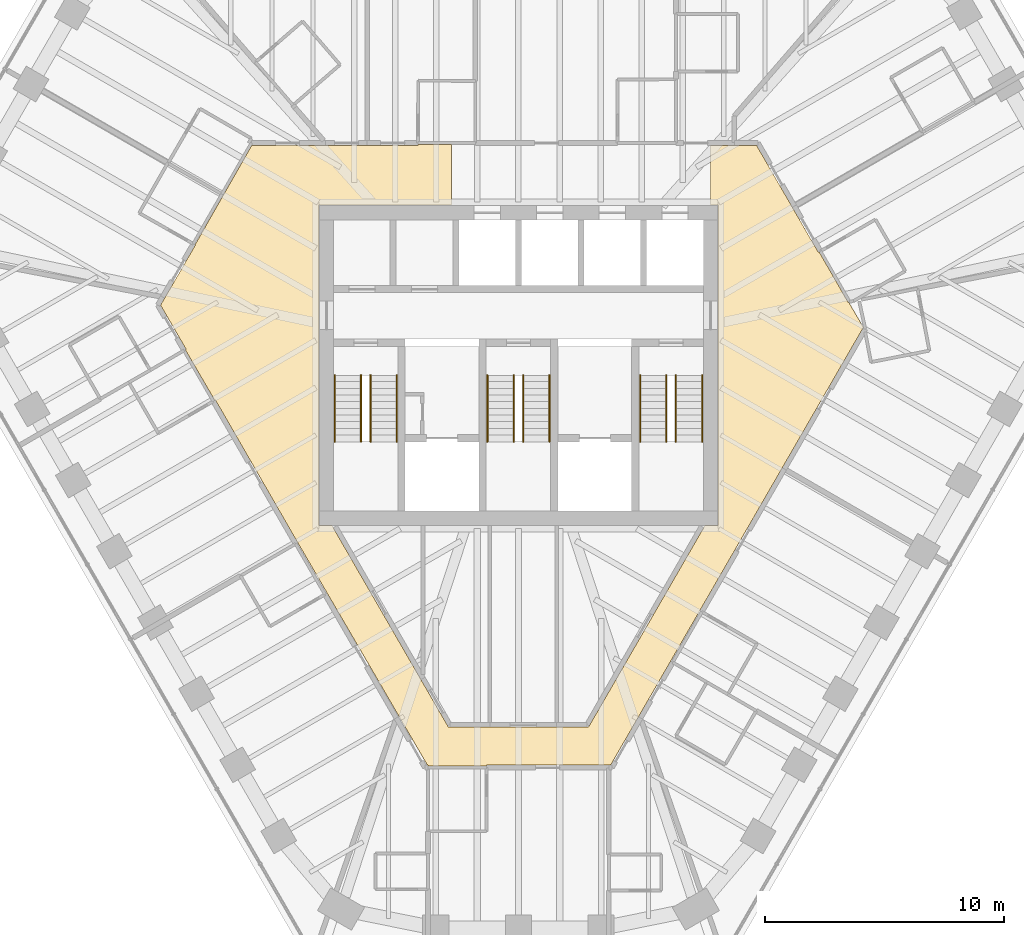
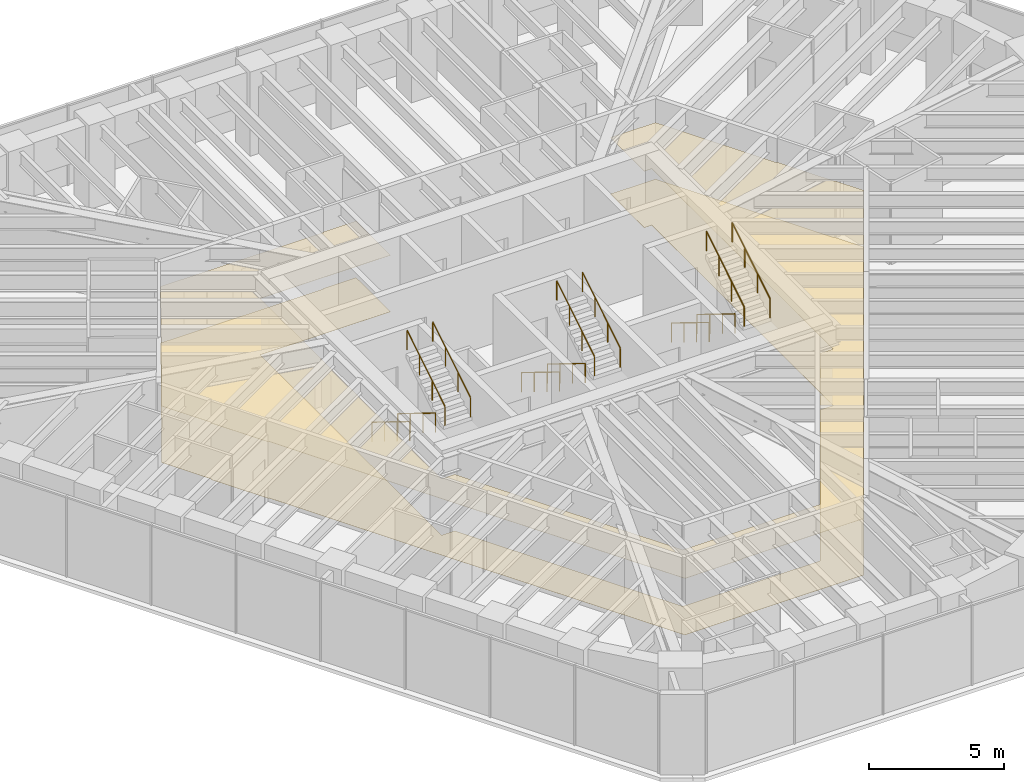
# One storey, part 14 of 14: 12 railings, 2 coverings.
"""IFC4 building model written with IfcOpenShell, lengths in metres."""

from ifc_helpers import new_model, si_unit, direction, frame, origin, origin_2d, place, context, subcontext, project, spatial, polyline, circle, outline, extrude, material, layer, layer_set, type_object, element, save


model = new_model("IFC4")

# Units and contexts
model_context = context("Model", 3, precision=1e-05, world=origin(), true_north=direction((0.0, 1.0)))
body_context = subcontext(model_context, "Body", "Model", "MODEL_VIEW")
ifc_project = project(units=[si_unit("LENGTHUNIT", "METRE"), si_unit("AREAUNIT", "SQUARE_METRE"), si_unit("VOLUMEUNIT", "CUBIC_METRE"), si_unit("PLANEANGLEUNIT", "RADIAN"), si_unit("MASSUNIT", "GRAM", prefix="KILO")], contexts=[model_context])

# Site, building, storey
site_placement = place(None, origin())
site = spatial("IfcSite", under=ifc_project, at=site_placement, CompositionType="ELEMENT")
building_placement = place(site_placement, origin())
building = spatial("IfcBuilding", under=site, at=building_placement, Name="Sandreach Pilgrim Tower", CompositionType="ELEMENT")
storey_placement = place(building_placement, frame((0.0, 0.0, 260.800048828125)))
storey = spatial("IfcBuildingStorey", under=building, at=storey_placement, Name="L65", CompositionType="ELEMENT", Elevation=260.800048828125)

# Coverings
ifc_material_1 = material(Name="Nylon carpet tile on the slab", Category="textile")
ifc_layer_1 = layer(ifc_material_1, 0.008056640625)
ifc_layer_set_1 = layer_set([ifc_layer_1], Name="Carpet tile")
covering_type_1 = type_object("IfcCoveringType", Name="Carpet tile", PredefinedType="FLOORING", material=ifc_layer_set_1)
covering_1_placement = place(storey_placement, origin())
element("IfcCovering", 1, at=covering_1_placement, inside=storey, type_object=covering_type_1, Name="Floor finish 65C Corridor 65", PredefinedType="FLOORING", context=body_context, shape_type="SweptSolid", body=[
    extrude(outline(polyline([(-15.004150390625, 2.529541015625), (-13.54345703125, 5.0498046875), (-13.559814453125, 5.059326171875), (-11.178466796875, 9.22998046875), (-4.2099609375, 9.22998046875), (-4.2099609375, 9.26318359375), (-2.800048828125, 9.27001953125), (-2.800048828125, 6.719970703125), (-8.3701171875, 6.719970703125), (-8.3701171875, -6.719970703125), (-7.812744140625, -6.719970703125), (-2.937744140625, -15.159912109375), (2.937744140625, -15.159912109375), (7.812744140625, -6.719970703125), (8.3701171875, -6.719970703125), (8.3701171875, 6.719970703125), (8.050048828125, 6.719970703125), (8.050048828125, 9.22998046875), (9.982177734375, 9.22998046875), (12.576171875, 4.741455078125), (12.607666015625, 4.759765625), (13.827880859375, 2.64013671875), (13.846435546875, 2.650634765625), (14.464111328125, 1.5986328125), (3.8623046875, -16.760009765625), (-1.340087890625, -16.760009765625), (-1.340087890625, -16.787109375), (-3.7900390625, -16.800048828125), (-3.7900390625, -16.760009765625), (-3.813232421875, -16.760009765625), (-9.378173828125, -7.213623046875), (-12.703369140625, -1.449951171875), (-12.729248046875, -1.465087890625), (-13.968017578125, 0.66015625), (-13.93359375, 0.68017578125), (-15.004150390625, 2.529541015625)])), origin(), (0.0, 0.0, 1.0), 0.008056640625),
])
ifc_material_2 = material(Name="Gypsum board suspended ceiling on a steel grid", Category="steel")
ifc_layer_2 = layer(ifc_material_2, 0.012939453125)
ifc_layer_set_2 = layer_set([ifc_layer_2], Name="Gypsum board suspended ceiling")
covering_type_2 = type_object("IfcCoveringType", Name="Gypsum board suspended ceiling", PredefinedType="CEILING", material=ifc_layer_set_2)
covering_2_placement = place(storey_placement, frame((0.0, 0.0, 2.550048828125)))
element("IfcCovering", 2, at=covering_2_placement, inside=storey, type_object=covering_type_2, Name="Ceiling 65C Corridor 65", PredefinedType="CEILING", context=body_context, shape_type="SweptSolid", body=[
    extrude(outline(polyline([(-15.004150390625, 2.529541015625), (-13.54345703125, 5.0498046875), (-13.559814453125, 5.059326171875), (-11.178466796875, 9.22998046875), (-4.2099609375, 9.22998046875), (-4.2099609375, 9.26318359375), (-2.800048828125, 9.27001953125), (-2.800048828125, 6.719970703125), (-8.3701171875, 6.719970703125), (-8.3701171875, -6.719970703125), (-7.812744140625, -6.719970703125), (-2.937744140625, -15.159912109375), (2.937744140625, -15.159912109375), (7.812744140625, -6.719970703125), (8.3701171875, -6.719970703125), (8.3701171875, 6.719970703125), (8.050048828125, 6.719970703125), (8.050048828125, 9.22998046875), (9.982177734375, 9.22998046875), (12.576171875, 4.741455078125), (12.607666015625, 4.759765625), (13.827880859375, 2.64013671875), (13.846435546875, 2.650634765625), (14.464111328125, 1.5986328125), (3.8623046875, -16.760009765625), (-1.340087890625, -16.760009765625), (-1.340087890625, -16.787109375), (-3.7900390625, -16.800048828125), (-3.7900390625, -16.760009765625), (-3.813232421875, -16.760009765625), (-9.378173828125, -7.213623046875), (-12.703369140625, -1.449951171875), (-12.729248046875, -1.465087890625), (-13.968017578125, 0.66015625), (-13.93359375, 0.68017578125), (-15.004150390625, 2.529541015625)])), origin(), (0.0, 0.0, 1.0), 0.012939453125),
])

# Railings
ifc_material_3 = material(Name="Stainless steel tube", Category="steel")
railing_type = type_object("IfcRailingType", Name="Stair handrail", PredefinedType="HANDRAIL", material=ifc_material_3)
for number, where, name in (
    (3, (-6.60009765625, -0.39990234375, 0.172607421875), "Handrail ST1 L65 flight 1"),
    (4, (-7.699951171875, -0.39990234375, 0.172607421875), "Handrail ST1 L65 flight 1"),
):
    element("IfcRailing", number, at=place(storey_placement, frame(where)), inside=storey, type_object=railing_type, Name=name, PredefinedType="HANDRAIL", context=body_context, shape_type="SweptSolid", body=[
        extrude(circle(Radius=0.02392578125, at=origin_2d()), frame((0.0, 0.0, 0.8759765625), z_axis=(0.0, -0.851089632645, 0.525020415988), x_axis=(1.0, 0.0, 0.0)), (0.0, 0.0, 1.0), 3.2900390625),
        extrude(circle(Radius=0.02099609375, at=origin_2d()), origin(), (0.0, 0.0, 1.0), 0.851806640625),
        extrude(circle(Radius=0.02099609375, at=origin_2d()), frame((0.0, -0.933349609375, 0.57568359375)), (0.0, 0.0, 1.0), 0.851806640625),
        extrude(circle(Radius=0.02099609375, at=origin_2d()), frame((0.0, -1.86669921875, 1.151611328125)), (0.0, 0.0, 1.0), 0.851806640625),
        extrude(circle(Radius=0.02099609375, at=origin_2d()), frame((0.0, -2.800048828125, 1.727294921875)), (0.0, 0.0, 1.0), 0.851806640625),
    ])
for number, where, name in (
    (5, (-6.199951171875, -3.199951171875, 2.07275390625), "Handrail ST1 L65 flight 2"),
    (6, (-5.10009765625, -3.199951171875, 2.07275390625), "Handrail ST1 L65 flight 2"),
):
    element("IfcRailing", number, at=place(storey_placement, frame(where)), inside=storey, type_object=railing_type, Name=name, PredefinedType="HANDRAIL", context=body_context, shape_type="SweptSolid", body=[
        extrude(circle(Radius=0.02392578125, at=origin_2d()), frame((0.0, 0.0, 0.8759765625), z_axis=(0.0, 0.851089632645, 0.525020415988), x_axis=(-1.0, 0.0, 0.0)), (0.0, 0.0, 1.0), 3.2900390625),
        extrude(circle(Radius=0.02099609375, at=origin_2d()), origin(), (0.0, 0.0, 1.0), 0.851806640625),
        extrude(circle(Radius=0.02099609375, at=origin_2d()), frame((0.0, 0.933349609375, 0.57568359375)), (0.0, 0.0, 1.0), 0.851806640625),
        extrude(circle(Radius=0.02099609375, at=origin_2d()), frame((0.0, 1.86669921875, 1.151611328125)), (0.0, 0.0, 1.0), 0.851806640625),
        extrude(circle(Radius=0.02099609375, at=origin_2d()), frame((0.0, 2.800048828125, 1.727294921875)), (0.0, 0.0, 1.0), 0.851806640625),
    ])
for number, where, name in (
    (7, (-0.199951171875, -0.39990234375, 0.172607421875), "Handrail ST3 L65 flight 1"),
    (8, (-1.300048828125, -0.39990234375, 0.172607421875), "Handrail ST3 L65 flight 1"),
):
    element("IfcRailing", number, at=place(storey_placement, frame(where)), inside=storey, type_object=railing_type, Name=name, PredefinedType="HANDRAIL", context=body_context, shape_type="SweptSolid", body=[
        extrude(circle(Radius=0.02392578125, at=origin_2d()), frame((0.0, 0.0, 0.8759765625), z_axis=(0.0, -0.851089632645, 0.525020415988), x_axis=(1.0, 0.0, 0.0)), (0.0, 0.0, 1.0), 3.2900390625),
        extrude(circle(Radius=0.02099609375, at=origin_2d()), origin(), (0.0, 0.0, 1.0), 0.851806640625),
        extrude(circle(Radius=0.02099609375, at=origin_2d()), frame((0.0, -0.933349609375, 0.57568359375)), (0.0, 0.0, 1.0), 0.851806640625),
        extrude(circle(Radius=0.02099609375, at=origin_2d()), frame((0.0, -1.86669921875, 1.151611328125)), (0.0, 0.0, 1.0), 0.851806640625),
        extrude(circle(Radius=0.02099609375, at=origin_2d()), frame((0.0, -2.800048828125, 1.727294921875)), (0.0, 0.0, 1.0), 0.851806640625),
    ])
for number, where, name in (
    (9, (0.199951171875, -3.199951171875, 2.07275390625), "Handrail ST3 L65 flight 2"),
    (10, (1.300048828125, -3.199951171875, 2.07275390625), "Handrail ST3 L65 flight 2"),
):
    element("IfcRailing", number, at=place(storey_placement, frame(where)), inside=storey, type_object=railing_type, Name=name, PredefinedType="HANDRAIL", context=body_context, shape_type="SweptSolid", body=[
        extrude(circle(Radius=0.02392578125, at=origin_2d()), frame((0.0, 0.0, 0.8759765625), z_axis=(0.0, 0.851089632645, 0.525020415988), x_axis=(-1.0, 0.0, 0.0)), (0.0, 0.0, 1.0), 3.2900390625),
        extrude(circle(Radius=0.02099609375, at=origin_2d()), origin(), (0.0, 0.0, 1.0), 0.851806640625),
        extrude(circle(Radius=0.02099609375, at=origin_2d()), frame((0.0, 0.933349609375, 0.57568359375)), (0.0, 0.0, 1.0), 0.851806640625),
        extrude(circle(Radius=0.02099609375, at=origin_2d()), frame((0.0, 1.86669921875, 1.151611328125)), (0.0, 0.0, 1.0), 0.851806640625),
        extrude(circle(Radius=0.02099609375, at=origin_2d()), frame((0.0, 2.800048828125, 1.727294921875)), (0.0, 0.0, 1.0), 0.851806640625),
    ])
for number, where, name in (
    (11, (6.199951171875, -0.39990234375, 0.172607421875), "Handrail ST2 L65 flight 1"),
    (12, (5.10009765625, -0.39990234375, 0.172607421875), "Handrail ST2 L65 flight 1"),
):
    element("IfcRailing", number, at=place(storey_placement, frame(where)), inside=storey, type_object=railing_type, Name=name, PredefinedType="HANDRAIL", context=body_context, shape_type="SweptSolid", body=[
        extrude(circle(Radius=0.02392578125, at=origin_2d()), frame((0.0, 0.0, 0.8759765625), z_axis=(0.0, -0.851089632645, 0.525020415988), x_axis=(1.0, 0.0, 0.0)), (0.0, 0.0, 1.0), 3.2900390625),
        extrude(circle(Radius=0.02099609375, at=origin_2d()), origin(), (0.0, 0.0, 1.0), 0.851806640625),
        extrude(circle(Radius=0.02099609375, at=origin_2d()), frame((0.0, -0.933349609375, 0.57568359375)), (0.0, 0.0, 1.0), 0.851806640625),
        extrude(circle(Radius=0.02099609375, at=origin_2d()), frame((0.0, -1.86669921875, 1.151611328125)), (0.0, 0.0, 1.0), 0.851806640625),
        extrude(circle(Radius=0.02099609375, at=origin_2d()), frame((0.0, -2.800048828125, 1.727294921875)), (0.0, 0.0, 1.0), 0.851806640625),
    ])
for number, where, name in (
    (13, (6.60009765625, -3.199951171875, 2.07275390625), "Handrail ST2 L65 flight 2"),
    (14, (7.699951171875, -3.199951171875, 2.07275390625), "Handrail ST2 L65 flight 2"),
):
    element("IfcRailing", number, at=place(storey_placement, frame(where)), inside=storey, type_object=railing_type, Name=name, PredefinedType="HANDRAIL", context=body_context, shape_type="SweptSolid", body=[
        extrude(circle(Radius=0.02392578125, at=origin_2d()), frame((0.0, 0.0, 0.8759765625), z_axis=(0.0, 0.851089632645, 0.525020415988), x_axis=(-1.0, 0.0, 0.0)), (0.0, 0.0, 1.0), 3.2900390625),
        extrude(circle(Radius=0.02099609375, at=origin_2d()), origin(), (0.0, 0.0, 1.0), 0.851806640625),
        extrude(circle(Radius=0.02099609375, at=origin_2d()), frame((0.0, 0.933349609375, 0.57568359375)), (0.0, 0.0, 1.0), 0.851806640625),
        extrude(circle(Radius=0.02099609375, at=origin_2d()), frame((0.0, 1.86669921875, 1.151611328125)), (0.0, 0.0, 1.0), 0.851806640625),
        extrude(circle(Radius=0.02099609375, at=origin_2d()), frame((0.0, 2.800048828125, 1.727294921875)), (0.0, 0.0, 1.0), 0.851806640625),
    ])

save(model, "model.ifc")
